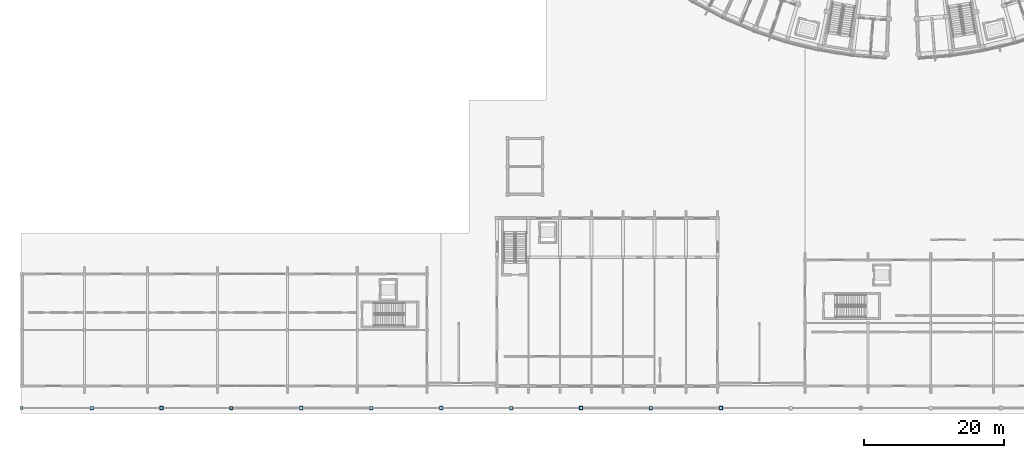
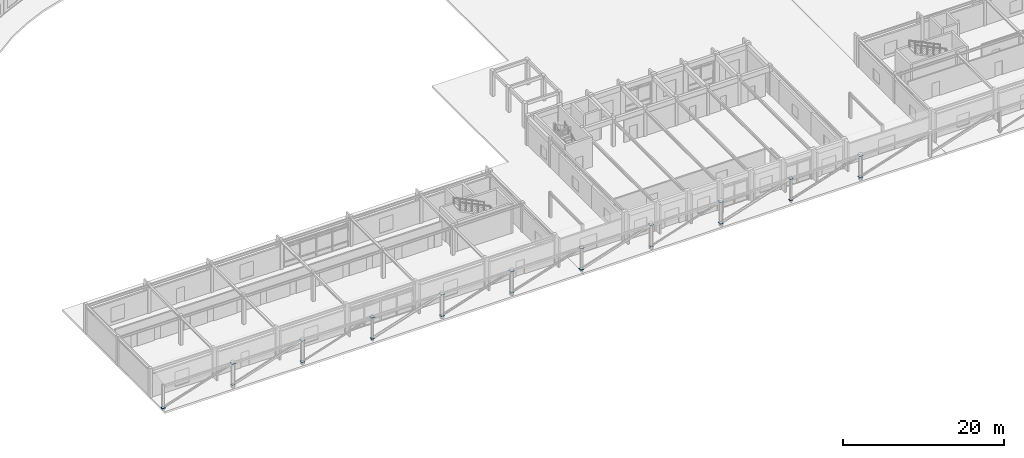
# One storey, part 23 of 61: 21 plates.
"""IFC4 building model written with IfcOpenShell, lengths in metres."""

from ifc_helpers import new_model, si_unit, direction, frame, origin, origin_2d, place, context, subcontext, project, spatial, rectangle, extrude, material, layer, layer_set, type_object, element, save


model = new_model("IFC4")

# Units and contexts
model_context = context("Model", 3, precision=1e-05, world=origin(), true_north=direction((0.0, 1.0)))
body_context = subcontext(model_context, "Body", "Model", "MODEL_VIEW")
ifc_project = project(units=[si_unit("LENGTHUNIT", "METRE"), si_unit("AREAUNIT", "SQUARE_METRE"), si_unit("VOLUMEUNIT", "CUBIC_METRE"), si_unit("PLANEANGLEUNIT", "RADIAN"), si_unit("MASSUNIT", "GRAM", prefix="KILO")], contexts=[model_context])

# Site, building, storey
site_placement = place(None, origin())
site = spatial("IfcSite", under=ifc_project, at=site_placement, CompositionType="ELEMENT")
building_placement = place(site_placement, origin())
building = spatial("IfcBuilding", under=site, at=building_placement, Name="Zimvara Arc Housing Community", CompositionType="ELEMENT")
storey_placement = place(building_placement, origin())
storey = spatial("IfcBuildingStorey", under=building, at=storey_placement, Name="L00", CompositionType="ELEMENT", Elevation=0.0)

# Plates
ifc_material_1 = material(Name="Steel S355", Category="steel")
ifc_layer_1 = layer(ifc_material_1, 0.02490234375)
ifc_layer_set_1 = layer_set([ifc_layer_1], Name="Steel S355")
plate_type_1 = type_object("IfcPlateType", Name="PLT-CONN-01", PredefinedType="SHEET", material=ifc_layer_set_1)
for number, where, z_axis, x_axis, name in (
    (1, (0.0, 0.449951171875, 0.337646484375), (0.0, 0.0, 1.0), (1.0, 0.0, 0.0), "plate:brace_end:097"),
    (2, (20.0, 0.449951171875, 0.337646484375), (0.0, 0.0, 1.0), (1.0, 0.0, 0.0), "plate:brace_end:101"),
    (3, (40.0, 0.449951171875, 0.337646484375), (0.0, 0.0, 1.0), (1.0, 0.0, 0.0), "plate:brace_end:105"),
    (4, (60.0, 0.449951171875, 0.337646484375), (0.0, 0.0, 1.0), (1.0, 0.0, 0.0), "plate:brace_end:109"),
    (5, (80.0, 0.449951171875, 0.337646484375), (0.0, 0.0, 1.0), (1.0, 0.0, 0.0), "plate:brace_end:113"),
    (6, (100.0, 0.449951171875, 0.337646484375), (0.0, 0.0, 1.0), (1.0, 0.0, 0.0), "plate:brace_end:117"),
):
    element("IfcPlate", number, at=place(storey_placement, frame(where, z_axis=z_axis, x_axis=x_axis)), inside=storey, type_object=plate_type_1, Name=name, PredefinedType="SHEET", context=body_context, shape_type="SweptSolid", body=[
        extrude(rectangle(XDim=0.449951171875, YDim=0.449951171875, at=origin_2d()), origin(), (0.0, 0.0, 1.0), 0.02490234375),
    ])
ifc_material_2 = material(Name="Steel S355", Category="steel")
ifc_layer_2 = layer(ifc_material_2, 0.030029296875)
ifc_layer_set_2 = layer_set([ifc_layer_2], Name="Steel S355")
plate_type_2 = type_object("IfcPlateType", Name="PLT-CONN-02", PredefinedType="SHEET", material=ifc_layer_set_2)
for number, where, z_axis, x_axis, name in (
    (7, (10.0, 0.449951171875, 3.5849609375), (0.0, 0.0, 1.0), (1.0, 0.0, 0.0), "plate:brace_end:098"),
    (8, (30.0, 0.449951171875, 3.5849609375), (0.0, 0.0, 1.0), (1.0, 0.0, 0.0), "plate:brace_end:102"),
    (9, (50.0, 0.449951171875, 3.5849609375), (0.0, 0.0, 1.0), (1.0, 0.0, 0.0), "plate:brace_end:106"),
    (10, (70.0, 0.449951171875, 3.5849609375), (0.0, 0.0, 1.0), (1.0, 0.0, 0.0), "plate:brace_end:110"),
    (11, (90.0, 0.449951171875, 3.5849609375), (0.0, 0.0, 1.0), (1.0, 0.0, 0.0), "plate:brace_end:114"),
):
    element("IfcPlate", number, at=place(storey_placement, frame(where, z_axis=z_axis, x_axis=x_axis)), inside=storey, type_object=plate_type_2, Name=name, PredefinedType="SHEET", context=body_context, shape_type="SweptSolid", body=[
        extrude(rectangle(XDim=0.5, YDim=0.5, at=origin_2d()), origin(), (0.0, 0.0, 1.0), 0.030029296875),
    ])
ifc_material_3 = material(Name="Steel S355", Category="steel")
ifc_layer_3 = layer(ifc_material_3, 0.02197265625)
ifc_layer_set_3 = layer_set([ifc_layer_3], Name="Steel S355")
plate_type_3 = type_object("IfcPlateType", Name="PLT-CONN-03", PredefinedType="SHEET", material=ifc_layer_set_3)
for number, where, z_axis, x_axis, name in (
    (12, (10.0, 0.449951171875, 0.339111328125), (0.0, 0.0, 1.0), (1.0, 0.0, 0.0), "plate:brace_end:099"),
    (13, (30.0, 0.449951171875, 0.339111328125), (0.0, 0.0, 1.0), (1.0, 0.0, 0.0), "plate:brace_end:103"),
    (14, (50.0, 0.449951171875, 0.339111328125), (0.0, 0.0, 1.0), (1.0, 0.0, 0.0), "plate:brace_end:107"),
    (15, (70.0, 0.449951171875, 0.339111328125), (0.0, 0.0, 1.0), (1.0, 0.0, 0.0), "plate:brace_end:111"),
    (16, (90.0, 0.449951171875, 0.339111328125), (0.0, 0.0, 1.0), (1.0, 0.0, 0.0), "plate:brace_end:115"),
):
    element("IfcPlate", number, at=place(storey_placement, frame(where, z_axis=z_axis, x_axis=x_axis)), inside=storey, type_object=plate_type_3, Name=name, PredefinedType="SHEET", context=body_context, shape_type="SweptSolid", body=[
        extrude(rectangle(XDim=0.3798828125, YDim=0.3798828125, at=origin_2d()), origin(), (0.0, 0.0, 1.0), 0.02197265625),
    ])
ifc_material_4 = material(Name="Steel S355", Category="steel")
ifc_layer_4 = layer(ifc_material_4, 0.034912109375)
ifc_layer_set_4 = layer_set([ifc_layer_4], Name="Steel S355")
plate_type_4 = type_object("IfcPlateType", Name="PLT-CONN-04", PredefinedType="SHEET", material=ifc_layer_set_4)
for number, where, z_axis, x_axis, name in (
    (17, (20.0, 0.449951171875, 3.58251953125), (0.0, 0.0, 1.0), (1.0, 0.0, 0.0), "plate:brace_end:100"),
    (18, (40.0, 0.449951171875, 3.58251953125), (0.0, 0.0, 1.0), (1.0, 0.0, 0.0), "plate:brace_end:104"),
    (19, (60.0, 0.449951171875, 3.58251953125), (0.0, 0.0, 1.0), (1.0, 0.0, 0.0), "plate:brace_end:108"),
    (20, (80.0, 0.449951171875, 3.58251953125), (0.0, 0.0, 1.0), (1.0, 0.0, 0.0), "plate:brace_end:112"),
    (21, (100.0, 0.449951171875, 3.58251953125), (0.0, 0.0, 1.0), (1.0, 0.0, 0.0), "plate:brace_end:116"),
):
    element("IfcPlate", number, at=place(storey_placement, frame(where, z_axis=z_axis, x_axis=x_axis)), inside=storey, type_object=plate_type_4, Name=name, PredefinedType="SHEET", context=body_context, shape_type="SweptSolid", body=[
        extrude(rectangle(XDim=0.550048828125, YDim=0.550048828125, at=origin_2d()), origin(), (0.0, 0.0, 1.0), 0.034912109375),
    ])

save(model, "model.ifc")
